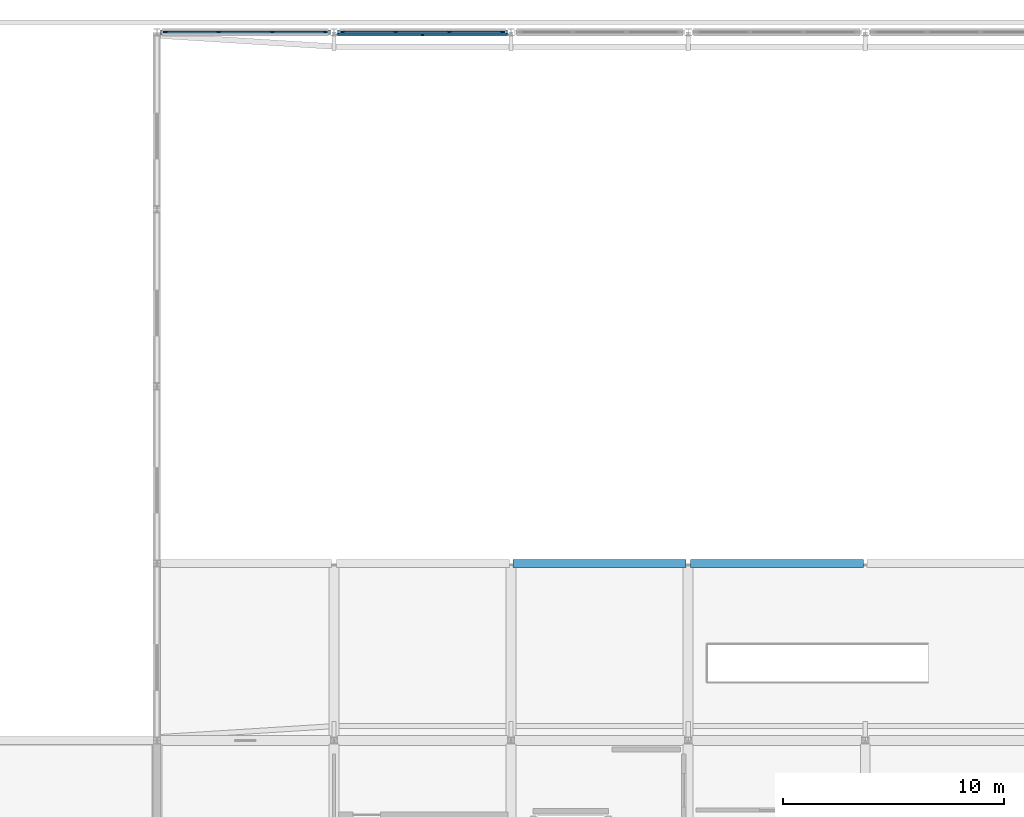
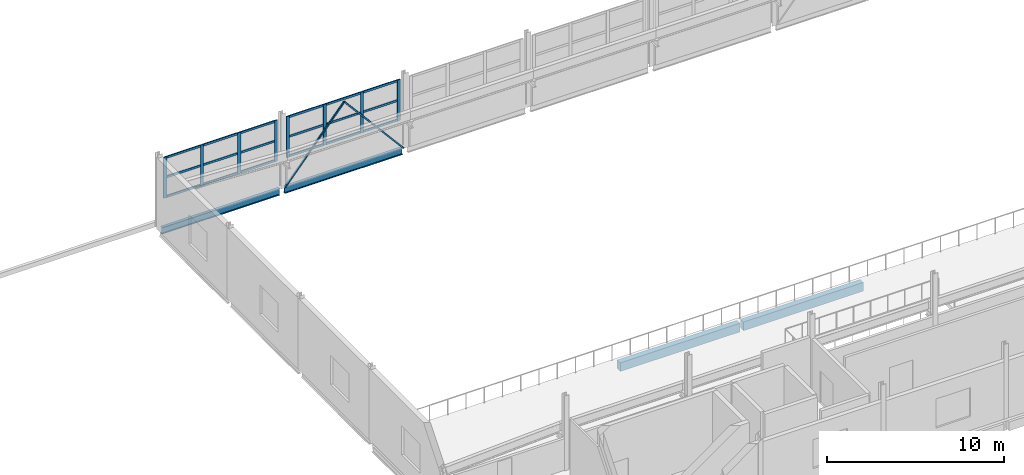
# One storey, part 46 of 106: 28 members, 4 beams, 2 elements without a shape of their own.
"""IFC4 building model written with IfcOpenShell, lengths in metres."""

from ifc_helpers import new_model, si_unit, direction, frame, origin, origin_2d, place, context, subcontext, project, spatial, rectangle, hollow_rectangle, i_section, extrude, material, layer, layer_set, material_profile, profile_set, type_object, element, aggregate, save


model = new_model("IFC4")

# Units and contexts
model_context = context("Model", 3, precision=1e-05, world=origin(), true_north=direction((0.0, 1.0)))
body_context = subcontext(model_context, "Body", "Model", "MODEL_VIEW")
ifc_project = project(units=[si_unit("LENGTHUNIT", "METRE"), si_unit("AREAUNIT", "SQUARE_METRE"), si_unit("VOLUMEUNIT", "CUBIC_METRE"), si_unit("PLANEANGLEUNIT", "RADIAN"), si_unit("MASSUNIT", "GRAM", prefix="KILO")], contexts=[model_context])

# Site, building, storey
site_placement = place(None, origin())
site = spatial("IfcSite", under=ifc_project, at=site_placement, CompositionType="ELEMENT")
building_placement = place(site_placement, origin())
building = spatial("IfcBuilding", under=site, at=building_placement, Name="Jelvoka-Kovrelna Polytechnic", CompositionType="ELEMENT")
storey_placement = place(building_placement, frame((0.0, 0.0, 4.800048828125)))
storey = spatial("IfcBuildingStorey", under=building, at=storey_placement, Name="L02", CompositionType="ELEMENT", Elevation=4.800048828125)

# Beams
ifc_material_1 = material(Name="Structural steel S355JR", Category="steel")
ifc_material_profile_1 = material_profile(ifc_material_1, i_section(OverallWidth=0.18994140625, OverallDepth=0.453369140625, WebThickness=0.008544921875, FlangeThickness=0.0126953125, FilletRadius=0.01025390625, at=origin_2d()), Name="457x191x67 UB")
ifc_profile_set_1 = profile_set([ifc_material_profile_1], Name="Structural steel S355JR")
beam_type_1 = type_object("IfcBeamType", Name="Girder_Steel_UB457", PredefinedType="BEAM", material=ifc_profile_set_1)
for number, where, z_axis, x_axis, name in (
    (1, (88.164306640625, 120.0, -0.226806640625), (1.0, 0.0, 0.0), (0.0, 1.0, 0.0), "L02 beam 0005"),
    (2, (96.164306640625, 120.0, -0.226806640625), (1.0, 0.0, 0.0), (0.0, 1.0, 0.0), "L02 beam 0010"),
):
    element("IfcBeam", number, at=place(storey_placement, frame(where, z_axis=z_axis, x_axis=x_axis)), inside=storey, type_object=beam_type_1, Name=name, PredefinedType="BEAM", context=body_context, shape_type="SweptSolid", body=[
        extrude(i_section(OverallWidth=0.18994140625, OverallDepth=0.453369140625, WebThickness=0.008544921875, FlangeThickness=0.0126953125, FilletRadius=0.01025390625, at=origin_2d()), origin(), (0.0, 0.0, 1.0), 7.67138671875),
    ])

# Members
ifc_material_2 = material(Name="Structural steel S355J2H", Category="steel")
ifc_material_profile_2 = material_profile(ifc_material_2, hollow_rectangle(XDim=0.10009765625, YDim=0.10009765625, WallThickness=0.00634765625, InnerFilletRadius=0.00634765625, OuterFilletRadius=0.009521484375, at=origin_2d()), Name="100x100x6.3 SHS")
ifc_profile_set_2 = profile_set([ifc_material_profile_2], Name="Structural steel S355J2H")
member_type_1 = type_object("IfcMemberType", Name="Member_Brace_SHS100", PredefinedType="BRACE", material=ifc_profile_set_2)
for number, where, z_axis, x_axis, name in (
    (3, (96.14990234375, 119.8798828125, 0.02001953125), (0.647606697765, 0.0, 0.761974779773), (0.0, 1.0, 0.0), "L02 workshop vertical wall K-brace 0233"),
    (4, (103.85009765625, 119.8798828125, 0.02001953125), (-0.647606697765, 0.0, 0.761974779773), (0.0, -1.0, 0.0), "L02 workshop vertical wall K-brace 0234"),
):
    element("IfcMember", number, at=place(storey_placement, frame(where, z_axis=z_axis, x_axis=x_axis)), inside=storey, type_object=member_type_1, Name=name, PredefinedType="BRACE", context=body_context, shape_type="SweptSolid", body=[
        extrude(hollow_rectangle(XDim=0.10009765625, YDim=0.10009765625, WallThickness=0.00634765625, InnerFilletRadius=0.00634765625, OuterFilletRadius=0.009521484375, at=origin_2d()), origin(), (0.0, 0.0, 1.0), 5.945068359375),
    ])

# Curtain wall, members
ifc_material_3 = material(Name="Anodised aluminium 6063-T6", Category="aluminium")
ifc_layer = layer(ifc_material_3, 0.199951171875)
ifc_layer_set = layer_set([ifc_layer], Name="Anodised aluminium 6063-T6")
curtain_wall_type = type_object("IfcCurtainWallType", Name="CW_Clerestory", PredefinedType="NOTDEFINED", material=ifc_layer_set)
curtain_wall_1_placement = place(storey_placement, origin())
curtain_wall_1 = element("IfcCurtainWall", 5, at=curtain_wall_1_placement, inside=storey, type_object=curtain_wall_type, Name="L02 glazed curtain wall 169", PredefinedType="NOTDEFINED")
ifc_material_4 = material(Name="Anodised aluminium 6063-T6", Category="aluminium")
ifc_material_profile_3 = material_profile(ifc_material_4, rectangle(XDim=0.070068359375, YDim=0.199951171875, at=origin_2d()), Name="ALU 70x200")
ifc_profile_set_3 = profile_set([ifc_material_profile_3], Name="Anodised aluminium 6063-T6")
member_type_2 = type_object("IfcMemberType", Name="Mullion_M-03", PredefinedType="MULLION", material=ifc_profile_set_3)
member_1_placement = place(storey_placement, frame((88.39501953125, 120.0, 1.925048828125), z_axis=(0.0, 0.0, 1.0), x_axis=(0.0, 1.0, 0.0)))
member_1 = element("IfcMember", 6, at=member_1_placement, type_object=member_type_2, Name="CW-03 mullion 1", PredefinedType="MULLION", context=body_context, shape_type="SweptSolid", body=[
    extrude(rectangle(XDim=0.070068359375, YDim=0.199951171875, at=origin_2d()), origin(), (0.0, 0.0, 1.0), 2.820068359375),
])
member_2_placement = place(storey_placement, frame((90.78662109375, 120.0, 1.925048828125), z_axis=(0.0, 0.0, 1.0), x_axis=(0.0, 1.0, 0.0)))
member_2 = element("IfcMember", 7, at=member_2_placement, type_object=member_type_2, Name="CW-03 mullion 2", PredefinedType="MULLION", context=body_context, shape_type="SweptSolid", body=[
    extrude(rectangle(XDim=0.070068359375, YDim=0.199951171875, at=origin_2d()), origin(), (0.0, 0.0, 1.0), 2.820068359375),
])
member_3_placement = place(storey_placement, frame((93.21337890625, 120.0, 1.925048828125), z_axis=(0.0, 0.0, 1.0), x_axis=(0.0, 1.0, 0.0)))
member_3 = element("IfcMember", 8, at=member_3_placement, type_object=member_type_2, Name="CW-03 mullion 3", PredefinedType="MULLION", context=body_context, shape_type="SweptSolid", body=[
    extrude(rectangle(XDim=0.070068359375, YDim=0.199951171875, at=origin_2d()), origin(), (0.0, 0.0, 1.0), 2.820068359375),
])
member_4_placement = place(storey_placement, frame((95.60498046875, 120.0, 1.925048828125), z_axis=(0.0, 0.0, 1.0), x_axis=(0.0, 1.0, 0.0)))
member_4 = element("IfcMember", 9, at=member_4_placement, type_object=member_type_2, Name="CW-03 mullion 4", PredefinedType="MULLION", context=body_context, shape_type="SweptSolid", body=[
    extrude(rectangle(XDim=0.070068359375, YDim=0.199951171875, at=origin_2d()), origin(), (0.0, 0.0, 1.0), 2.820068359375),
])

curtain_wall_2_placement = place(storey_placement, origin())
curtain_wall_2 = element("IfcCurtainWall", 10, at=curtain_wall_2_placement, inside=storey, type_object=curtain_wall_type, Name="L02 glazed curtain wall 170", PredefinedType="NOTDEFINED")
member_5_placement = place(storey_placement, frame((96.39501953125, 120.0, 1.925048828125), z_axis=(0.0, 0.0, 1.0), x_axis=(0.0, 1.0, 0.0)))
member_5 = element("IfcMember", 11, at=member_5_placement, type_object=member_type_2, Name="CW-03 mullion 1", PredefinedType="MULLION", context=body_context, shape_type="SweptSolid", body=[
    extrude(rectangle(XDim=0.070068359375, YDim=0.199951171875, at=origin_2d()), origin(), (0.0, 0.0, 1.0), 2.820068359375),
])
member_6_placement = place(storey_placement, frame((98.78662109375, 120.0, 1.925048828125), z_axis=(0.0, 0.0, 1.0), x_axis=(0.0, 1.0, 0.0)))
member_6 = element("IfcMember", 12, at=member_6_placement, type_object=member_type_2, Name="CW-03 mullion 2", PredefinedType="MULLION", context=body_context, shape_type="SweptSolid", body=[
    extrude(rectangle(XDim=0.070068359375, YDim=0.199951171875, at=origin_2d()), origin(), (0.0, 0.0, 1.0), 2.820068359375),
])
member_7_placement = place(storey_placement, frame((101.21337890625, 120.0, 1.925048828125), z_axis=(0.0, 0.0, 1.0), x_axis=(0.0, 1.0, 0.0)))
member_7 = element("IfcMember", 13, at=member_7_placement, type_object=member_type_2, Name="CW-03 mullion 3", PredefinedType="MULLION", context=body_context, shape_type="SweptSolid", body=[
    extrude(rectangle(XDim=0.070068359375, YDim=0.199951171875, at=origin_2d()), origin(), (0.0, 0.0, 1.0), 2.820068359375),
])
member_8_placement = place(storey_placement, frame((103.60498046875, 120.0, 1.925048828125), z_axis=(0.0, 0.0, 1.0), x_axis=(0.0, 1.0, 0.0)))
member_8 = element("IfcMember", 14, at=member_8_placement, type_object=member_type_2, Name="CW-03 mullion 4", PredefinedType="MULLION", context=body_context, shape_type="SweptSolid", body=[
    extrude(rectangle(XDim=0.070068359375, YDim=0.199951171875, at=origin_2d()), origin(), (0.0, 0.0, 1.0), 2.820068359375),
])

# Beams
ifc_material_5 = material(Name="Concrete C40/50", Category="concrete")
ifc_material_profile_4 = material_profile(ifc_material_5, rectangle(XDim=0.35009765625, YDim=0.60009765625, at=origin_2d()), Name="RC 350x600")
ifc_profile_set_4 = profile_set([ifc_material_profile_4], Name="Concrete C40/50")
beam_type_2 = type_object("IfcBeamType", Name="Spandrel_RC_350x600", PredefinedType="SPANDREL", material=ifc_profile_set_4)
for number, where, z_axis, x_axis, name in (
    (15, (104.0830078125, 96.0, -0.580078125), (1.0, 0.0, 0.0), (0.0, 1.0, 0.0), "L02 beam 0562"),
    (16, (112.107421875, 96.0, -0.580078125), (1.0, 0.0, 0.0), (0.0, 1.0, 0.0), "L02 beam 0563"),
):
    element("IfcBeam", number, at=place(storey_placement, frame(where, z_axis=z_axis, x_axis=x_axis)), inside=storey, type_object=beam_type_2, Name=name, PredefinedType="SPANDREL", context=body_context, shape_type="SweptSolid", body=[
        extrude(rectangle(XDim=0.35009765625, YDim=0.60009765625, at=origin_2d()), origin(), (0.0, 0.0, 1.0), 7.8095703125),
    ])

# Member
ifc_material_6 = material(Name="Anodised aluminium 6063-T6", Category="aluminium")
ifc_material_profile_5 = material_profile(ifc_material_6, rectangle(XDim=0.070068359375, YDim=0.14501953125, at=origin_2d()), Name="ALU 70x145")
ifc_profile_set_5 = profile_set([ifc_material_profile_5], Name="Anodised aluminium 6063-T6")
member_type_3 = type_object("IfcMemberType", Name="Transom_T-03", PredefinedType="USERDEFINED", material=ifc_profile_set_5)
member_9_placement = place(storey_placement, frame((88.429931640625, 120.0, 1.98486328125), z_axis=(1.0, 0.0, 0.0), x_axis=(0.0, 1.0, 0.0)))
member_9 = element("IfcMember", 17, at=member_9_placement, type_object=member_type_3, Name="CW-03 transom 1.1", ObjectType="TRANSOM", PredefinedType="USERDEFINED", context=body_context, shape_type="SweptSolid", body=[
    extrude(rectangle(XDim=0.070068359375, YDim=0.14501953125, at=origin_2d()), origin(), (0.0, 0.0, 1.0), 2.32177734375),
])

member_10_placement = place(storey_placement, frame((88.429931640625, 120.0, 3.3349609375), z_axis=(1.0, 0.0, 0.0), x_axis=(0.0, 1.0, 0.0)))
member_10 = element("IfcMember", 18, at=member_10_placement, type_object=member_type_3, Name="CW-03 transom 1.2", ObjectType="TRANSOM", PredefinedType="USERDEFINED", context=body_context, shape_type="SweptSolid", body=[
    extrude(rectangle(XDim=0.070068359375, YDim=0.14501953125, at=origin_2d()), origin(), (0.0, 0.0, 1.0), 2.32177734375),
])

member_11_placement = place(storey_placement, frame((88.429931640625, 120.0, 4.68505859375), z_axis=(1.0, 0.0, 0.0), x_axis=(0.0, 1.0, 0.0)))
member_11 = element("IfcMember", 19, at=member_11_placement, type_object=member_type_3, Name="CW-03 transom 1.3", ObjectType="TRANSOM", PredefinedType="USERDEFINED", context=body_context, shape_type="SweptSolid", body=[
    extrude(rectangle(XDim=0.070068359375, YDim=0.14501953125, at=origin_2d()), origin(), (0.0, 0.0, 1.0), 2.32177734375),
])

member_12_placement = place(storey_placement, frame((90.82177734375, 120.0, 1.98486328125), z_axis=(1.0, 0.0, 0.0), x_axis=(0.0, 1.0, 0.0)))
member_12 = element("IfcMember", 20, at=member_12_placement, type_object=member_type_3, Name="CW-03 transom 2.1", ObjectType="TRANSOM", PredefinedType="USERDEFINED", context=body_context, shape_type="SweptSolid", body=[
    extrude(rectangle(XDim=0.070068359375, YDim=0.14501953125, at=origin_2d()), origin(), (0.0, 0.0, 1.0), 2.3564453125),
])

member_13_placement = place(storey_placement, frame((90.82177734375, 120.0, 3.3349609375), z_axis=(1.0, 0.0, 0.0), x_axis=(0.0, 1.0, 0.0)))
member_13 = element("IfcMember", 21, at=member_13_placement, type_object=member_type_3, Name="CW-03 transom 2.2", ObjectType="TRANSOM", PredefinedType="USERDEFINED", context=body_context, shape_type="SweptSolid", body=[
    extrude(rectangle(XDim=0.070068359375, YDim=0.14501953125, at=origin_2d()), origin(), (0.0, 0.0, 1.0), 2.3564453125),
])

member_14_placement = place(storey_placement, frame((90.82177734375, 120.0, 4.68505859375), z_axis=(1.0, 0.0, 0.0), x_axis=(0.0, 1.0, 0.0)))
member_14 = element("IfcMember", 22, at=member_14_placement, type_object=member_type_3, Name="CW-03 transom 2.3", ObjectType="TRANSOM", PredefinedType="USERDEFINED", context=body_context, shape_type="SweptSolid", body=[
    extrude(rectangle(XDim=0.070068359375, YDim=0.14501953125, at=origin_2d()), origin(), (0.0, 0.0, 1.0), 2.3564453125),
])

member_15_placement = place(storey_placement, frame((93.248291015625, 120.0, 1.98486328125), z_axis=(1.0, 0.0, 0.0), x_axis=(0.0, 1.0, 0.0)))
member_15 = element("IfcMember", 23, at=member_15_placement, type_object=member_type_3, Name="CW-03 transom 3.1", ObjectType="TRANSOM", PredefinedType="USERDEFINED", context=body_context, shape_type="SweptSolid", body=[
    extrude(rectangle(XDim=0.070068359375, YDim=0.14501953125, at=origin_2d()), origin(), (0.0, 0.0, 1.0), 2.32177734375),
])

member_16_placement = place(storey_placement, frame((93.248291015625, 120.0, 3.3349609375), z_axis=(1.0, 0.0, 0.0), x_axis=(0.0, 1.0, 0.0)))
member_16 = element("IfcMember", 24, at=member_16_placement, type_object=member_type_3, Name="CW-03 transom 3.2", ObjectType="TRANSOM", PredefinedType="USERDEFINED", context=body_context, shape_type="SweptSolid", body=[
    extrude(rectangle(XDim=0.070068359375, YDim=0.14501953125, at=origin_2d()), origin(), (0.0, 0.0, 1.0), 2.32177734375),
])

member_17_placement = place(storey_placement, frame((93.248291015625, 120.0, 4.68505859375), z_axis=(1.0, 0.0, 0.0), x_axis=(0.0, 1.0, 0.0)))
member_17 = element("IfcMember", 25, at=member_17_placement, type_object=member_type_3, Name="CW-03 transom 3.3", ObjectType="TRANSOM", PredefinedType="USERDEFINED", context=body_context, shape_type="SweptSolid", body=[
    extrude(rectangle(XDim=0.070068359375, YDim=0.14501953125, at=origin_2d()), origin(), (0.0, 0.0, 1.0), 2.32177734375),
])

aggregate(curtain_wall_1, [member_1, member_2, member_3, member_4, member_9, member_10, member_11, member_12, member_13, member_14, member_15, member_16, member_17])

member_18_placement = place(storey_placement, frame((96.429931640625, 120.0, 1.98486328125), z_axis=(1.0, 0.0, 0.0), x_axis=(0.0, 1.0, 0.0)))
member_18 = element("IfcMember", 26, at=member_18_placement, type_object=member_type_3, Name="CW-03 transom 1.1", ObjectType="TRANSOM", PredefinedType="USERDEFINED", context=body_context, shape_type="SweptSolid", body=[
    extrude(rectangle(XDim=0.070068359375, YDim=0.14501953125, at=origin_2d()), origin(), (0.0, 0.0, 1.0), 2.32177734375),
])

member_19_placement = place(storey_placement, frame((96.429931640625, 120.0, 3.3349609375), z_axis=(1.0, 0.0, 0.0), x_axis=(0.0, 1.0, 0.0)))
member_19 = element("IfcMember", 27, at=member_19_placement, type_object=member_type_3, Name="CW-03 transom 1.2", ObjectType="TRANSOM", PredefinedType="USERDEFINED", context=body_context, shape_type="SweptSolid", body=[
    extrude(rectangle(XDim=0.070068359375, YDim=0.14501953125, at=origin_2d()), origin(), (0.0, 0.0, 1.0), 2.32177734375),
])

member_20_placement = place(storey_placement, frame((96.429931640625, 120.0, 4.68505859375), z_axis=(1.0, 0.0, 0.0), x_axis=(0.0, 1.0, 0.0)))
member_20 = element("IfcMember", 28, at=member_20_placement, type_object=member_type_3, Name="CW-03 transom 1.3", ObjectType="TRANSOM", PredefinedType="USERDEFINED", context=body_context, shape_type="SweptSolid", body=[
    extrude(rectangle(XDim=0.070068359375, YDim=0.14501953125, at=origin_2d()), origin(), (0.0, 0.0, 1.0), 2.32177734375),
])

member_21_placement = place(storey_placement, frame((98.82177734375, 120.0, 1.98486328125), z_axis=(1.0, 0.0, 0.0), x_axis=(0.0, 1.0, 0.0)))
member_21 = element("IfcMember", 29, at=member_21_placement, type_object=member_type_3, Name="CW-03 transom 2.1", ObjectType="TRANSOM", PredefinedType="USERDEFINED", context=body_context, shape_type="SweptSolid", body=[
    extrude(rectangle(XDim=0.070068359375, YDim=0.14501953125, at=origin_2d()), origin(), (0.0, 0.0, 1.0), 2.3564453125),
])

member_22_placement = place(storey_placement, frame((98.82177734375, 120.0, 3.3349609375), z_axis=(1.0, 0.0, 0.0), x_axis=(0.0, 1.0, 0.0)))
member_22 = element("IfcMember", 30, at=member_22_placement, type_object=member_type_3, Name="CW-03 transom 2.2", ObjectType="TRANSOM", PredefinedType="USERDEFINED", context=body_context, shape_type="SweptSolid", body=[
    extrude(rectangle(XDim=0.070068359375, YDim=0.14501953125, at=origin_2d()), origin(), (0.0, 0.0, 1.0), 2.3564453125),
])

member_23_placement = place(storey_placement, frame((98.82177734375, 120.0, 4.68505859375), z_axis=(1.0, 0.0, 0.0), x_axis=(0.0, 1.0, 0.0)))
member_23 = element("IfcMember", 31, at=member_23_placement, type_object=member_type_3, Name="CW-03 transom 2.3", ObjectType="TRANSOM", PredefinedType="USERDEFINED", context=body_context, shape_type="SweptSolid", body=[
    extrude(rectangle(XDim=0.070068359375, YDim=0.14501953125, at=origin_2d()), origin(), (0.0, 0.0, 1.0), 2.3564453125),
])

member_24_placement = place(storey_placement, frame((101.248291015625, 120.0, 1.98486328125), z_axis=(1.0, 0.0, 0.0), x_axis=(0.0, 1.0, 0.0)))
member_24 = element("IfcMember", 32, at=member_24_placement, type_object=member_type_3, Name="CW-03 transom 3.1", ObjectType="TRANSOM", PredefinedType="USERDEFINED", context=body_context, shape_type="SweptSolid", body=[
    extrude(rectangle(XDim=0.070068359375, YDim=0.14501953125, at=origin_2d()), origin(), (0.0, 0.0, 1.0), 2.32177734375),
])

member_25_placement = place(storey_placement, frame((101.248291015625, 120.0, 3.3349609375), z_axis=(1.0, 0.0, 0.0), x_axis=(0.0, 1.0, 0.0)))
member_25 = element("IfcMember", 33, at=member_25_placement, type_object=member_type_3, Name="CW-03 transom 3.2", ObjectType="TRANSOM", PredefinedType="USERDEFINED", context=body_context, shape_type="SweptSolid", body=[
    extrude(rectangle(XDim=0.070068359375, YDim=0.14501953125, at=origin_2d()), origin(), (0.0, 0.0, 1.0), 2.32177734375),
])

member_26_placement = place(storey_placement, frame((101.248291015625, 120.0, 4.68505859375), z_axis=(1.0, 0.0, 0.0), x_axis=(0.0, 1.0, 0.0)))
member_26 = element("IfcMember", 34, at=member_26_placement, type_object=member_type_3, Name="CW-03 transom 3.3", ObjectType="TRANSOM", PredefinedType="USERDEFINED", context=body_context, shape_type="SweptSolid", body=[
    extrude(rectangle(XDim=0.070068359375, YDim=0.14501953125, at=origin_2d()), origin(), (0.0, 0.0, 1.0), 2.32177734375),
])

aggregate(curtain_wall_2, [member_5, member_6, member_7, member_8, member_18, member_19, member_20, member_21, member_22, member_23, member_24, member_25, member_26])

save(model, "model.ifc")
